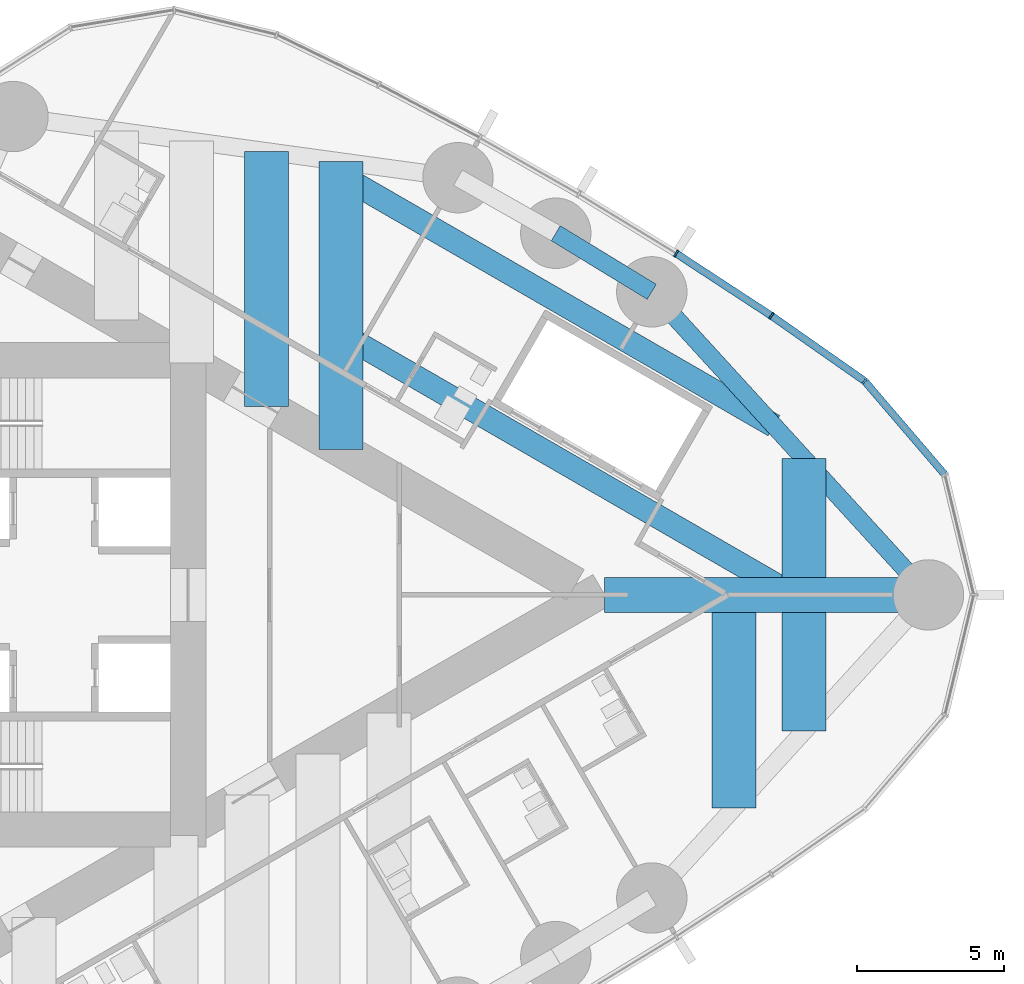
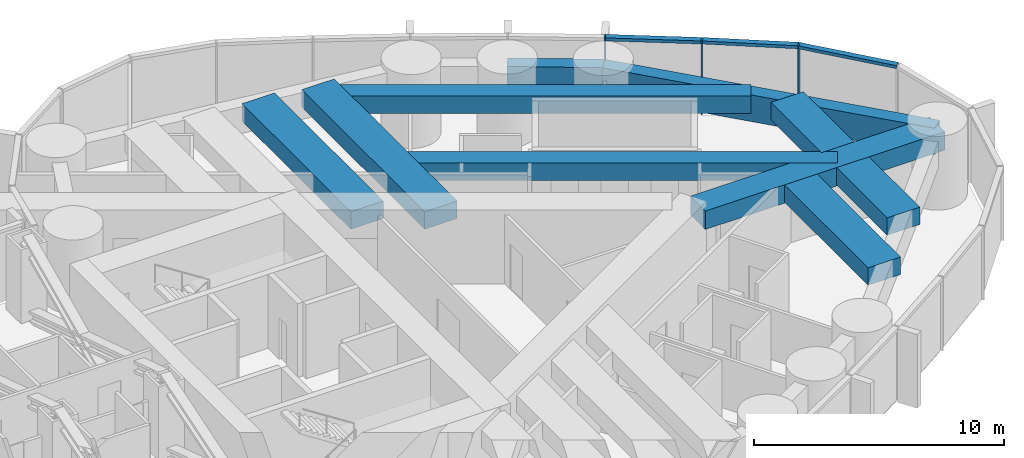
# One storey, part 9 of 23: 10 beams, 6 members, 1 element without a shape of its own.
"""IFC4 building model written with IfcOpenShell, lengths in metres."""

from ifc_helpers import new_model, si_unit, direction, frame, origin, origin_2d, place, context, subcontext, project, spatial, rectangle, hollow_rectangle, extrude, material, material_profile, profile_set, type_object, element, aggregate, save


model = new_model("IFC4")

# Units and contexts
model_context = context("Model", 3, precision=1e-05, world=origin(), true_north=direction((0.0, 1.0)))
body_context = subcontext(model_context, "Body", "Model", "MODEL_VIEW")
ifc_project = project(units=[si_unit("LENGTHUNIT", "METRE"), si_unit("AREAUNIT", "SQUARE_METRE"), si_unit("VOLUMEUNIT", "CUBIC_METRE"), si_unit("PLANEANGLEUNIT", "RADIAN"), si_unit("MASSUNIT", "GRAM", prefix="KILO")], contexts=[model_context])

# Site, building, storey
site_placement = place(None, origin())
site = spatial("IfcSite", under=ifc_project, at=site_placement, CompositionType="ELEMENT")
building_placement = place(site_placement, origin())
building = spatial("IfcBuilding", under=site, at=building_placement, Name="Lancet Gate Hotel", CompositionType="ELEMENT")
storey_placement = place(building_placement, frame((0.0, 0.0, 215.300048828125)))
storey = spatial("IfcBuildingStorey", under=building, at=storey_placement, Name="L57", CompositionType="ELEMENT", Elevation=215.300048828125)

# Curtain wall, members
ifc_material_1 = material(Name="Aluminium curtain wall", Category="aluminium")
curtain_wall_type = type_object("IfcCurtainWallType", Name="Tower unitised curtain wall", PredefinedType="USERDEFINED", material=ifc_material_1)
curtain_wall_placement = place(storey_placement, origin())
curtain_wall = element("IfcCurtainWall", 1, at=curtain_wall_placement, inside=storey, type_object=curtain_wall_type, Name="T2 L57 curtain wall 1", ObjectType="UNITISED CURTAIN WALL", PredefinedType="USERDEFINED")
ifc_material_2 = material(Name="Aluminium mullion", Category="aluminium")
ifc_material_profile_1 = material_profile(ifc_material_2, rectangle(XDim=0.06494140625, YDim=0.25, at=origin_2d()), Name="MULLION 65x250")
ifc_profile_set_1 = profile_set([ifc_material_profile_1], Name="Aluminium mullion")
member_type_1 = type_object("IfcMemberType", Name="Aluminium mullion 65x250", PredefinedType="MULLION", material=ifc_profile_set_1)
member_1_placement = place(storey_placement, frame((60.367431640625, 7.291259765625, 0.0), z_axis=(0.0, 0.0, 1.0), x_axis=(-0.737323173512, 0.675540182226, 0.0)))
member_1 = element("IfcMember", 2, at=member_1_placement, type_object=member_type_1, Name="T2 L57 curtain wall 1 mullion 16", PredefinedType="MULLION", context=body_context, shape_type="SweptSolid", body=[
    extrude(rectangle(XDim=0.06494140625, YDim=0.25, at=origin_2d()), origin(), (0.0, 0.0, 1.0), 3.599853515625),
])
member_2_placement = place(storey_placement, frame((57.185791015625, 9.518310546875, 0.0), z_axis=(0.0, 0.0, 1.0), x_axis=(-0.828154697184, 0.560499596371, 0.0)))
member_2 = element("IfcMember", 3, at=member_2_placement, type_object=member_type_1, Name="T2 L57 curtain wall 1 mullion 17", PredefinedType="MULLION", context=body_context, shape_type="SweptSolid", body=[
    extrude(rectangle(XDim=0.06494140625, YDim=0.25, at=origin_2d()), origin(), (0.0, 0.0, 1.0), 3.599853515625),
])
member_3_placement = place(storey_placement, frame((53.935791015625, 11.644287109375, 0.0), z_axis=(0.0, 0.0, 1.0), x_axis=(-0.845339753513, 0.534229071777, 0.0)))
member_3 = element("IfcMember", 4, at=member_3_placement, type_object=member_type_1, Name="T2 L57 curtain wall 1 mullion 18", PredefinedType="MULLION", context=body_context, shape_type="SweptSolid", body=[
    extrude(rectangle(XDim=0.06494140625, YDim=0.25, at=origin_2d()), origin(), (0.0, 0.0, 1.0), 3.599853515625),
])
ifc_material_3 = material(Name="Aluminium transom", Category="aluminium")
ifc_material_profile_2 = material_profile(ifc_material_3, rectangle(XDim=0.25, YDim=0.14990234375, at=origin_2d()), Name="TRANSOM 250x150")
ifc_profile_set_2 = profile_set([ifc_material_profile_2], Name="Aluminium transom")
member_type_2 = type_object("IfcMemberType", Name="Aluminium transom 250x150", PredefinedType="USERDEFINED", material=ifc_profile_set_2)
member_4_placement = place(storey_placement, frame((63.08544921875, 4.118408203125, 3.52490234375), z_axis=(-0.650592500186, 0.759427019997, 0.0), x_axis=(-0.759427019997, -0.650592500186, 0.0)))
member_4 = element("IfcMember", 5, at=member_4_placement, type_object=member_type_2, Name="T2 L57 curtain wall 1 transom 15", ObjectType="TRANSOM", PredefinedType="USERDEFINED", context=body_context, shape_type="SweptSolid", body=[
    extrude(rectangle(XDim=0.25, YDim=0.14990234375, at=origin_2d()), origin(), (0.0, 0.0, 1.0), 4.1455078125),
])
member_5_placement = place(storey_placement, frame((60.3408203125, 7.31005859375, 3.52490234375), z_axis=(-0.819255948852, 0.573428016642, 0.0), x_axis=(-0.573428016642, -0.819255948852, 0.0)))
member_5 = element("IfcMember", 6, at=member_5_placement, type_object=member_type_2, Name="T2 L57 curtain wall 1 transom 16", ObjectType="TRANSOM", PredefinedType="USERDEFINED", context=body_context, shape_type="SweptSolid", body=[
    extrude(rectangle(XDim=0.25, YDim=0.14990234375, at=origin_2d()), origin(), (0.0, 0.0, 1.0), 3.818603515625),
])
member_6_placement = place(storey_placement, frame((57.158447265625, 9.5361328125, 3.52490234375), z_axis=(-0.836858089593, 0.547419891749, 0.0), x_axis=(-0.547419891749, -0.836858089593, 0.0)))
member_6 = element("IfcMember", 7, at=member_6_placement, type_object=member_type_2, Name="T2 L57 curtain wall 1 transom 17", ObjectType="TRANSOM", PredefinedType="USERDEFINED", context=body_context, shape_type="SweptSolid", body=[
    extrude(rectangle(XDim=0.25, YDim=0.14990234375, at=origin_2d()), origin(), (0.0, 0.0, 1.0), 3.818603515625),
])
aggregate(curtain_wall, [member_1, member_2, member_3, member_4, member_5, member_6])

# Beams
ifc_material_4 = material(Name="Steel S460QL", Category="steel")
ifc_material_profile_3 = material_profile(ifc_material_4, hollow_rectangle(XDim=0.60009765625, YDim=1.300048828125, WallThickness=0.050048828125, at=origin_2d()), Name="BOX 1300x600x50")
ifc_profile_set_3 = profile_set([ifc_material_profile_3], Name="Steel S460QL")
beam_type_1 = type_object("IfcBeamType", Name="Edge beam BOX 1300x600x50", PredefinedType="SPANDREL", material=ifc_profile_set_3)
beam_1_placement = place(storey_placement, frame((62.54150390625, 0.0, 2.699951171875), z_axis=(-0.674209372947, 0.738540263919, 0.0), x_axis=(-0.738540263919, -0.674209372947, 0.0)))
element("IfcBeam", 8, at=beam_1_placement, inside=storey, type_object=beam_type_1, Name="T2 edge beam EB2 L57", PredefinedType="SPANDREL", context=body_context, shape_type="SweptSolid", body=[
    extrude(hollow_rectangle(XDim=0.60009765625, YDim=1.300048828125, WallThickness=0.050048828125, at=origin_2d()), origin(), (0.0, 0.0, 1.0), 13.992431640625),
])
beam_2_placement = place(storey_placement, frame((53.107666015625, 10.333984375, 2.699951171875), z_axis=(-0.853604257265, 0.520922040212, 0.0), x_axis=(-0.520922040212, -0.853604257265, 0.0)))
element("IfcBeam", 9, at=beam_2_placement, inside=storey, type_object=beam_type_1, Name="T2 edge beam EB2 L57", PredefinedType="SPANDREL", context=body_context, shape_type="SweptSolid", body=[
    extrude(hollow_rectangle(XDim=0.60009765625, YDim=1.300048828125, WallThickness=0.050048828125, at=origin_2d()), origin(), (0.0, 0.0, 1.0), 3.835205078125),
])
ifc_material_5 = material(Name="Concrete C50/60", Category="concrete")
ifc_material_profile_4 = material_profile(ifc_material_5, rectangle(XDim=1.5, YDim=0.85009765625, at=origin_2d()), Name="RC 1500x850")
ifc_profile_set_4 = profile_set([ifc_material_profile_4], Name="Concrete C50/60")
beam_type_2 = type_object("IfcBeamType", Name="Floor beam RC 1500x850", PredefinedType="BEAM", material=ifc_profile_set_4)
beam_3_placement = place(storey_placement, frame((39.9658203125, 6.429443359375, 2.925048828125), z_axis=(0.0, 1.0, 0.0), x_axis=(-1.0, 0.0, 0.0)))
element("IfcBeam", 10, at=beam_3_placement, inside=storey, type_object=beam_type_2, Name="T2 floor beam F06N L57", PredefinedType="BEAM", context=body_context, shape_type="SweptSolid", body=[
    extrude(rectangle(XDim=1.5, YDim=0.85009765625, at=origin_2d()), origin(), (0.0, 0.0, 1.0), 8.694091796875),
])
beam_4_placement = place(storey_placement, frame((42.51904296875, 4.95556640625, 2.925048828125), z_axis=(0.0, 1.0, 0.0), x_axis=(-1.0, 0.0, 0.0)))
element("IfcBeam", 11, at=beam_4_placement, inside=storey, type_object=beam_type_2, Name="T2 floor beam F08N L57", PredefinedType="BEAM", context=body_context, shape_type="SweptSolid", body=[
    extrude(rectangle(XDim=1.5, YDim=0.85009765625, at=origin_2d()), origin(), (0.0, 0.0, 1.0), 9.817138671875),
])
beam_5_placement = place(storey_placement, frame((55.90234375, -7.272705078125, 2.925048828125), z_axis=(0.0, 1.0, 0.0), x_axis=(-1.0, 0.0, 0.0)))
element("IfcBeam", 12, at=beam_5_placement, inside=storey, type_object=beam_type_2, Name="T2 floor beam F10S L57", PredefinedType="BEAM", context=body_context, shape_type="SweptSolid", body=[
    extrude(rectangle(XDim=1.5, YDim=0.85009765625, at=origin_2d()), origin(), (0.0, 0.0, 1.0), 6.672607421875),
])
for number, where, z_axis, x_axis, name in (
    (13, (58.30224609375, -4.643798828125, 2.925048828125), (0.0, 1.0, 0.0), (-1.0, 0.0, 0.0), "T2 floor beam F12S L57"),
    (14, (58.30224609375, 0.60009765625, 2.925048828125), (0.0, 1.0, 0.0), (-1.0, 0.0, 0.0), "T2 floor beam F13N L57"),
):
    element("IfcBeam", number, at=place(storey_placement, frame(where, z_axis=z_axis, x_axis=x_axis)), inside=storey, type_object=beam_type_2, Name=name, PredefinedType="BEAM", context=body_context, shape_type="SweptSolid", body=[
        extrude(rectangle(XDim=1.5, YDim=0.85009765625, at=origin_2d()), origin(), (0.0, 0.0, 1.0), 4.043701171875),
    ])
ifc_material_6 = material(Name="Concrete C50/60", Category="concrete")
ifc_material_profile_5 = material_profile(ifc_material_6, rectangle(XDim=1.199951171875, YDim=0.89990234375, at=origin_2d()), Name="RC 1200x900")
ifc_profile_set_5 = profile_set([ifc_material_profile_5], Name="Concrete C50/60")
beam_type_3 = type_object("IfcBeamType", Name="Radial floor beam RC 1200x900", PredefinedType="BEAM", material=ifc_profile_set_5)
beam_6_placement = place(storey_placement, frame((62.54150390625, 0.0, 2.89990234375), z_axis=(-1.0, 0.0, 0.0), x_axis=(0.0, -1.0, 0.0)))
element("IfcBeam", 15, at=beam_6_placement, inside=storey, type_object=beam_type_3, Name="T2 radial beam CA L57", PredefinedType="BEAM", context=body_context, shape_type="SweptSolid", body=[
    extrude(rectangle(XDim=1.199951171875, YDim=0.89990234375, at=origin_2d()), origin(), (0.0, 0.0, 1.0), 11.039306640625),
])
ifc_material_7 = material(Name="Steel S460QL", Category="steel")
ifc_material_profile_6 = material_profile(ifc_material_7, hollow_rectangle(XDim=0.800048828125, YDim=0.85009765625, WallThickness=0.080078125, at=origin_2d()), Name="BOX 850x800x80")
ifc_profile_set_6 = profile_set([ifc_material_profile_6], Name="Steel S460QL")
beam_type_4 = type_object("IfcBeamType", Name="Trimmer beam BOX 850x800x80", PredefinedType="BEAM", material=ifc_profile_set_6)
beam_7_placement = place(storey_placement, frame((42.51904296875, 14.289794921875, 2.925048828125), z_axis=(0.865991109766, -0.500059394279, 0.0), x_axis=(0.500059394279, 0.865991109766, 0.0)))
element("IfcBeam", 16, at=beam_7_placement, inside=storey, type_object=beam_type_4, Name="T2 trimmer beam TR01N L57", PredefinedType="BEAM", context=body_context, shape_type="SweptSolid", body=[
    extrude(hollow_rectangle(XDim=0.800048828125, YDim=0.85009765625, WallThickness=0.080078125, at=origin_2d()), origin(), (0.0, 0.0, 1.0), 17.0390625),
])
beam_8_placement = place(storey_placement, frame((42.51904296875, 8.90185546875, 2.925048828125), z_axis=(0.865994419471, -0.500053662566, 0.0), x_axis=(0.500053662566, 0.865994419471, 0.0)))
element("IfcBeam", 17, at=beam_8_placement, inside=storey, type_object=beam_type_4, Name="T2 trimmer beam TR02N L57", PredefinedType="BEAM", context=body_context, shape_type="SweptSolid", body=[
    extrude(hollow_rectangle(XDim=0.800048828125, YDim=0.85009765625, WallThickness=0.080078125, at=origin_2d()), origin(), (0.0, 0.0, 1.0), 17.8017578125),
])

save(model, "model.ifc")
